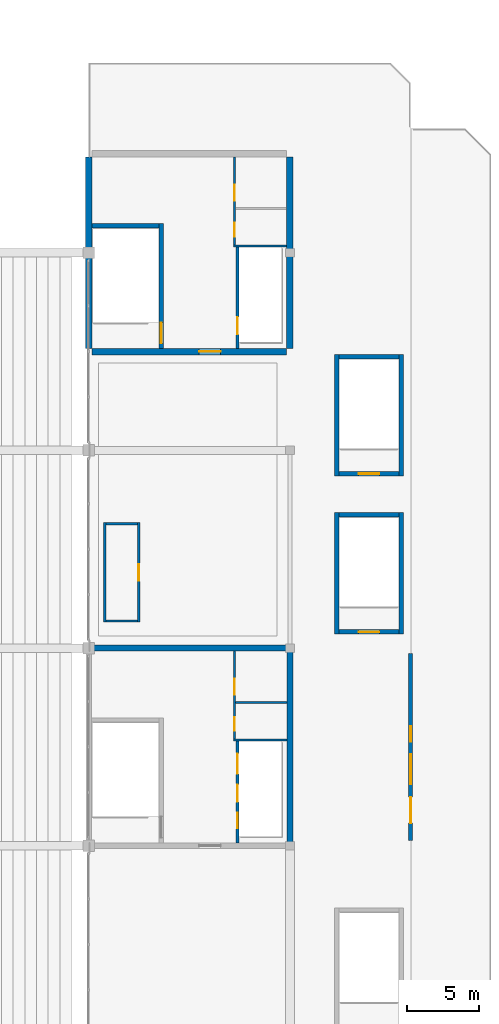
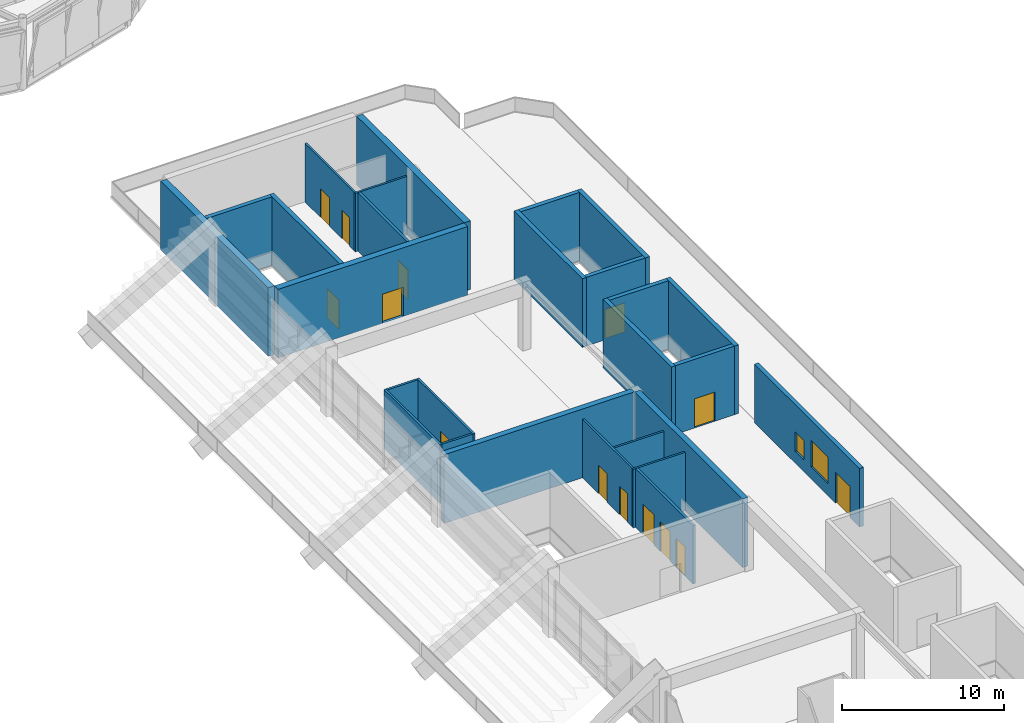
# One storey, part 74 of 90: 27 walls, 14 doors, 2 windows, 16 openings.
"""IFC4 building model written with IfcOpenShell, lengths in metres."""

from ifc_helpers import new_model, si_unit, direction, frame, frame_2d, origin, place, context, subcontext, project, spatial, rectangle, extrude, material, layer, layer_set, type_object, element, fill, save


model = new_model("IFC4")

# Units and contexts
model_context = context("Model", 3, precision=1e-05, world=origin(), true_north=direction((0.0, 1.0)))
body_context = subcontext(model_context, "Body", "Model", "MODEL_VIEW")
ifc_project = project(units=[si_unit("LENGTHUNIT", "METRE"), si_unit("AREAUNIT", "SQUARE_METRE"), si_unit("VOLUMEUNIT", "CUBIC_METRE"), si_unit("PLANEANGLEUNIT", "RADIAN"), si_unit("MASSUNIT", "GRAM", prefix="KILO")], contexts=[model_context])

# Site, building, storey
site_placement = place(None, origin())
site = spatial("IfcSite", under=ifc_project, at=site_placement, CompositionType="ELEMENT")
building_placement = place(site_placement, origin())
building = spatial("IfcBuilding", under=site, at=building_placement, Name="Linyun Crest Stadium", CompositionType="ELEMENT")
storey_placement = place(building_placement, frame((0.0, 0.0, 21.0)))
storey = spatial("IfcBuildingStorey", under=building, at=storey_placement, Name="L05", CompositionType="ELEMENT", Elevation=21.0)

# Walls
ifc_material_1 = material(Name="Concrete C50", Category="concrete")
ifc_layer_1 = layer(ifc_material_1, 0.39990234375)
ifc_layer_set_1 = layer_set([ifc_layer_1], Name="Concrete C50")
wall_type_1 = type_object("IfcWallType", Name="CW02", PredefinedType="SHEAR", material=ifc_layer_set_1)
wall_1_placement = place(storey_placement, frame((84.0, 2.324951171875, 0.0), z_axis=(0.0, 0.0, 1.0), x_axis=(0.0, 1.0, 0.0)))
element("IfcWall", 1, at=wall_1_placement, inside=storey, type_object=wall_type_1, Name="Core shear wall CW02 CORE-E2 L05.2", PredefinedType="SHEAR", context=body_context, shape_type="SweptSolid", body=[
    extrude(rectangle(XDim=13.35009765625, YDim=0.39990234375, at=frame_2d((6.675048828125, 0.0))), origin(), (0.0, 0.0, 1.0), 5.18505859375),
])
wall_2_placement = place(storey_placement, frame((70.199951171875, 15.875, 0.0), z_axis=(0.0, 0.0, 1.0), x_axis=(1.0, 0.0, 0.0)))
element("IfcWall", 2, at=wall_2_placement, inside=storey, type_object=wall_type_1, Name="Core shear wall CW02 CORE-E2 L05.4", PredefinedType="SHEAR", context=body_context, shape_type="SweptSolid", body=[
    extrude(rectangle(XDim=13.60009765625, YDim=0.39990234375, at=frame_2d((6.800048828125, 0.0))), origin(), (0.0, 0.0, 1.0), 5.18505859375),
])
ifc_material_2 = material(Name="Concrete C50", Category="concrete")
ifc_layer_2 = layer(ifc_material_2, 0.449951171875)
ifc_layer_set_2 = layer_set([ifc_layer_2], Name="Concrete C50")
wall_type_2 = type_object("IfcWallType", Name="CW03", PredefinedType="SHEAR", material=ifc_layer_set_2)
for number, where, z_axis, x_axis, name in (
    (3, (70.0, 36.72509765625, 0.0), (0.0, 0.0, 1.0), (0.0, 1.0, 0.0), "Core shear wall CW03 CORE-E3 L05.1"),
    (4, (84.0, 36.72509765625, 0.0), (0.0, 0.0, 1.0), (0.0, 1.0, 0.0), "Core shear wall CW03 CORE-E3 L05.2"),
):
    element("IfcWall", number, at=place(storey_placement, frame(where, z_axis=z_axis, x_axis=x_axis)), inside=storey, type_object=wall_type_2, Name=name, PredefinedType="SHEAR", context=body_context, shape_type="SweptSolid", body=[
        extrude(rectangle(XDim=13.2998046875, YDim=0.449951171875, at=frame_2d((6.64990234375, 0.0))), origin(), (0.0, 0.0, 1.0), 5.18505859375),
    ])

# Wall, opening, door
wall_3_placement = place(storey_placement, frame((70.22509765625, 36.5, 0.0), z_axis=(0.0, 0.0, 1.0), x_axis=(1.0, 0.0, 0.0)))
wall_3 = element("IfcWall", 5, at=wall_3_placement, inside=storey, type_object=wall_type_2, Name="Core shear wall CW03 CORE-E3 L05.3", PredefinedType="SHEAR", context=body_context, shape_type="SweptSolid", body=[
    extrude(rectangle(XDim=13.5498046875, YDim=0.449951171875, at=frame_2d((6.77490234375, 0.0))), origin(), (0.0, 0.0, 1.0), 5.18505859375),
])
opening_1_placement = place(wall_3_placement, frame((7.452880859375, 0.0, 0.0)))
opening_1 = element("IfcOpeningElement", 6, at=opening_1_placement, cuts=wall_3, Name="Opening D-L05-251", PredefinedType="OPENING", context=body_context, shape_type="SweptSolid", body=[
    extrude(rectangle(XDim=1.5, YDim=2.199951171875, at=frame_2d((0.75, 1.10009765625))), frame((0.0, 0.23486328125, 0.0), z_axis=(0.0, -1.0, 0.0), x_axis=(1.0, 0.0, 0.0)), (0.0, 0.0, 1.0), 0.469970703125),
])
ifc_material_3 = material(Name="Galvanized steel Class A fire door", Category="steel")
ifc_layer_3 = layer(ifc_material_3, 0.054931640625)
ifc_layer_set_3 = layer_set([ifc_layer_3], Name="Galvanized steel Class A fire door")
door_type_1 = type_object("IfcDoorType", Name="FD01", OperationType="NOTDEFINED", PredefinedType="DOOR", material=ifc_layer_set_3)
door_1_placement = place(opening_1_placement, origin())
door_1 = element("IfcDoor", 7, at=door_1_placement, inside=storey, type_object=door_type_1, Name="Door D-L05-251", OperationType="SINGLE_SWING_LEFT", OverallHeight=2.199951171875, OverallWidth=1.5, PredefinedType="DOOR", context=body_context, shape_type="SweptSolid", body=[
    extrude(rectangle(XDim=1.5, YDim=2.199951171875, at=frame_2d((0.75, 1.10009765625))), frame((0.0, 0.02490234375, 0.0), z_axis=(0.0, -1.0, 0.0), x_axis=(1.0, 0.0, 0.0)), (0.0, 0.0, 1.0), 0.050048828125),
])
fill(opening_1, door_1)

# Wall, openings, door, windows
ifc_material_4 = material(Name="Concrete C40 with celadon ceramic faience", Category="concrete")
ifc_layer_4 = layer(ifc_material_4, 0.280029296875)
ifc_layer_set_4 = layer_set([ifc_layer_4], Name="Concrete C40 with celadon ceramic faience")
wall_type_3 = type_object("IfcWallType", Name="EW03", PredefinedType="SOLIDWALL", material=ifc_layer_set_4)
wall_4_placement = place(storey_placement, frame((92.39990234375, 2.5, 0.0), z_axis=(0.0, 0.0, 1.0), x_axis=(0.0, 1.0, 0.0)))
wall_4 = element("IfcWall", 8, at=wall_4_placement, inside=storey, type_object=wall_type_3, Name="Exterior wall EW03 L05 70", PredefinedType="SOLIDWALL", context=body_context, shape_type="SweptSolid", body=[
    extrude(rectangle(XDim=13.0, YDim=0.280029296875, at=frame_2d((6.5, 0.0))), origin(), (0.0, 0.0, 1.0), 4.419921875),
])
opening_2_placement = place(wall_4_placement, frame((1.199951171875, 0.0, 0.0)))
opening_2 = element("IfcOpeningElement", 9, at=opening_2_placement, cuts=wall_4, Name="Opening BD-L05-09", PredefinedType="OPENING", context=body_context, shape_type="SweptSolid", body=[
    extrude(rectangle(XDim=1.800048828125, YDim=2.35009765625, at=frame_2d((0.89990234375, 1.175048828125))), frame((0.0, 0.14990234375, 0.0), z_axis=(0.0, -1.0, 0.0), x_axis=(1.0, 0.0, 0.0)), (0.0, 0.0, 1.0), 0.300048828125),
])
opening_3_placement = place(wall_4_placement, frame((3.89990234375, 0.0, 0.89990234375)))
opening_3 = element("IfcOpeningElement", 10, at=opening_3_placement, cuts=wall_4, Name="Opening WN03", PredefinedType="OPENING", context=body_context, shape_type="SweptSolid", body=[
    extrude(rectangle(XDim=2.10009765625, YDim=2.0, at=frame_2d((1.050048828125, 1.0))), frame((0.0, 0.14990234375, 0.0), z_axis=(0.0, -1.0, 0.0), x_axis=(1.0, 0.0, 0.0)), (0.0, 0.0, 1.0), 0.300048828125),
])
opening_4_placement = place(wall_4_placement, frame((6.85009765625, 0.0, 0.89990234375)))
opening_4 = element("IfcOpeningElement", 11, at=opening_4_placement, cuts=wall_4, Name="Opening WN15", PredefinedType="OPENING", context=body_context, shape_type="SweptSolid", body=[
    extrude(rectangle(XDim=1.10009765625, YDim=1.449951171875, at=frame_2d((0.550048828125, 0.72509765625))), frame((0.0, 0.14990234375, 0.0), z_axis=(0.0, -1.0, 0.0), x_axis=(1.0, 0.0, 0.0)), (0.0, 0.0, 1.0), 0.300048828125),
])
ifc_material_5 = material(Name="Thermally broken aluminium and low-E glass", Category="aluminium")
ifc_layer_5 = layer(ifc_material_5, 0.054931640625)
ifc_layer_set_5 = layer_set([ifc_layer_5], Name="Thermally broken aluminium and low-E glass")
door_type_2 = type_object("IfcDoorType", Name="BD01", OperationType="NOTDEFINED", PredefinedType="DOOR", material=ifc_layer_set_5)
door_2_placement = place(opening_2_placement, origin())
door_2 = element("IfcDoor", 12, at=door_2_placement, inside=storey, type_object=door_type_2, Name="Terrace door BD-L05-09", OperationType="SINGLE_SWING_LEFT", OverallHeight=2.35009765625, OverallWidth=1.800048828125, PredefinedType="DOOR", context=body_context, shape_type="SweptSolid", body=[
    extrude(rectangle(XDim=1.800048828125, YDim=2.35009765625, at=frame_2d((0.89990234375, 1.175048828125))), frame((0.0, 0.02490234375, 0.0), z_axis=(0.0, -1.0, 0.0), x_axis=(1.0, 0.0, 0.0)), (0.0, 0.0, 1.0), 0.050048828125),
])
fill(opening_2, door_2)
ifc_material_6 = material(Name="Aluminium frame with double low-E glazing", Category="aluminium")
ifc_layer_6 = layer(ifc_material_6, 0.06005859375)
ifc_layer_set_6 = layer_set([ifc_layer_6], Name="Aluminium frame with double low-E glazing")
window_type_1 = type_object("IfcWindowType", Name="WN03", PartitioningType="SINGLE_PANEL", PredefinedType="WINDOW", material=ifc_layer_set_6)
window_1_placement = place(opening_3_placement, origin())
window_1 = element("IfcWindow", 13, at=window_1_placement, inside=storey, type_object=window_type_1, Name="Window WN03 L05 45", OverallHeight=2.0, OverallWidth=2.10009765625, PartitioningType="SINGLE_PANEL", PredefinedType="WINDOW", context=body_context, shape_type="SweptSolid", body=[
    extrude(rectangle(XDim=2.10009765625, YDim=2.0, at=frame_2d((1.050048828125, 1.0))), frame((0.0, 0.030029296875, 0.0), z_axis=(0.0, -1.0, 0.0), x_axis=(1.0, 0.0, 0.0)), (0.0, 0.0, 1.0), 0.06005859375),
])
fill(opening_3, window_1)
ifc_material_7 = material(Name="Operable dressing-suite clerestory")
ifc_layer_7 = layer(ifc_material_7, 0.06005859375)
ifc_layer_set_7 = layer_set([ifc_layer_7], Name="Operable dressing-suite clerestory")
window_type_2 = type_object("IfcWindowType", Name="WN15", PartitioningType="SINGLE_PANEL", PredefinedType="WINDOW", material=ifc_layer_set_7)
window_2_placement = place(opening_4_placement, origin())
window_2 = element("IfcWindow", 14, at=window_2_placement, inside=storey, type_object=window_type_2, Name="Window WN15 L05 46", OverallHeight=1.449951171875, OverallWidth=1.10009765625, PartitioningType="SINGLE_PANEL", PredefinedType="WINDOW", context=body_context, shape_type="SweptSolid", body=[
    extrude(rectangle(XDim=1.10009765625, YDim=1.449951171875, at=frame_2d((0.550048828125, 0.72509765625))), frame((0.0, 0.030029296875, 0.0), z_axis=(0.0, -1.0, 0.0), x_axis=(1.0, 0.0, 0.0)), (0.0, 0.0, 1.0), 0.06005859375),
])
fill(opening_4, window_2)

# Wall, openings, doors
ifc_material_8 = material(Name="Autoclaved aerated concrete block fire partition", Category="concrete")
ifc_layer_8 = layer(ifc_material_8, 0.179931640625)
ifc_layer_set_8 = layer_set([ifc_layer_8], Name="Autoclaved aerated concrete block fire partition")
wall_type_4 = type_object("IfcWallType", Name="PW12", PredefinedType="PARTITIONING", material=ifc_layer_set_8)
wall_5_placement = place(storey_placement, frame((80.35009765625, 2.324951171875, 0.0), z_axis=(0.0, 0.0, 1.0), x_axis=(0.0, 1.0, 0.0)))
wall_5 = element("IfcWall", 15, at=wall_5_placement, inside=storey, type_object=wall_type_4, Name="Partition PW12 L05 79", PredefinedType="PARTITIONING", context=body_context, shape_type="SweptSolid", body=[
    extrude(rectangle(XDim=7.080078125, YDim=0.179931640625, at=frame_2d((3.5400390625, 0.0))), origin(), (0.0, 0.0, 1.0), 4.419921875),
])
opening_5_placement = place(wall_5_placement, frame((1.0, 0.0, 0.0)))
opening_5 = element("IfcOpeningElement", 16, at=opening_5_placement, cuts=wall_5, Name="Opening LD076", PredefinedType="OPENING", context=body_context, shape_type="SweptSolid", body=[
    extrude(rectangle(XDim=1.10009765625, YDim=2.199951171875, at=frame_2d((0.550048828125, 1.10009765625))), frame((0.0, 0.099853515625, 0.0), z_axis=(0.0, -1.0, 0.0), x_axis=(1.0, 0.0, 0.0)), (0.0, 0.0, 1.0), 0.199951171875),
])
opening_6_placement = place(wall_5_placement, frame((2.85009765625, 0.0, 0.0)))
opening_6 = element("IfcOpeningElement", 17, at=opening_6_placement, cuts=wall_5, Name="Opening LD077", PredefinedType="OPENING", context=body_context, shape_type="SweptSolid", body=[
    extrude(rectangle(XDim=1.199951171875, YDim=2.25, at=frame_2d((0.60009765625, 1.125))), frame((0.0, 0.099853515625, 0.0), z_axis=(0.0, -1.0, 0.0), x_axis=(1.0, 0.0, 0.0)), (0.0, 0.0, 1.0), 0.199951171875),
])
opening_7_placement = place(wall_5_placement, frame((4.800048828125, 0.0, 0.0)))
opening_7 = element("IfcOpeningElement", 18, at=opening_7_placement, cuts=wall_5, Name="Opening LD078", PredefinedType="OPENING", context=body_context, shape_type="SweptSolid", body=[
    extrude(rectangle(XDim=1.39990234375, YDim=2.300048828125, at=frame_2d((0.699951171875, 1.14990234375))), frame((0.0, 0.099853515625, 0.0), z_axis=(0.0, -1.0, 0.0), x_axis=(1.0, 0.0, 0.0)), (0.0, 0.0, 1.0), 0.199951171875),
])
ifc_material_9 = material(Name="Brushed stainless sliding lift door")
ifc_layer_9 = layer(ifc_material_9, 0.050048828125)
ifc_layer_set_9 = layer_set([ifc_layer_9], Name="Brushed stainless sliding lift door")
door_type_3 = type_object("IfcDoorType", Name="LD01", OperationType="NOTDEFINED", PredefinedType="DOOR", material=ifc_layer_set_9)
door_3_placement = place(opening_5_placement, origin())
door_3 = element("IfcDoor", 19, at=door_3_placement, inside=storey, type_object=door_type_3, Name="Lift landing door LD076", OperationType="DOUBLE_DOOR_SLIDING", OverallHeight=2.199951171875, OverallWidth=1.10009765625, PredefinedType="DOOR", context=body_context, shape_type="SweptSolid", body=[
    extrude(rectangle(XDim=1.10009765625, YDim=2.199951171875, at=frame_2d((0.550048828125, 1.10009765625))), frame((0.0, 0.02490234375, 0.0), z_axis=(0.0, -1.0, 0.0), x_axis=(1.0, 0.0, 0.0)), (0.0, 0.0, 1.0), 0.050048828125),
])
fill(opening_5, door_3)
ifc_material_10 = material(Name="Brushed stainless sliding lift door")
ifc_layer_10 = layer(ifc_material_10, 0.050048828125)
ifc_layer_set_10 = layer_set([ifc_layer_10], Name="Brushed stainless sliding lift door")
door_type_4 = type_object("IfcDoorType", Name="LD02", OperationType="NOTDEFINED", PredefinedType="DOOR", material=ifc_layer_set_10)
door_4_placement = place(opening_6_placement, origin())
door_4 = element("IfcDoor", 20, at=door_4_placement, inside=storey, type_object=door_type_4, Name="Lift landing door LD077", OperationType="DOUBLE_DOOR_SLIDING", OverallHeight=2.25, OverallWidth=1.199951171875, PredefinedType="DOOR", context=body_context, shape_type="SweptSolid", body=[
    extrude(rectangle(XDim=1.199951171875, YDim=2.25, at=frame_2d((0.60009765625, 1.125))), frame((0.0, 0.02490234375, 0.0), z_axis=(0.0, -1.0, 0.0), x_axis=(1.0, 0.0, 0.0)), (0.0, 0.0, 1.0), 0.050048828125),
])
fill(opening_6, door_4)
ifc_material_11 = material(Name="Heavy-duty stainless sliding door")
ifc_layer_11 = layer(ifc_material_11, 0.054931640625)
ifc_layer_set_11 = layer_set([ifc_layer_11], Name="Heavy-duty stainless sliding door")
door_type_5 = type_object("IfcDoorType", Name="LD03", OperationType="NOTDEFINED", PredefinedType="DOOR", material=ifc_layer_set_11)
door_5_placement = place(opening_7_placement, origin())
door_5 = element("IfcDoor", 21, at=door_5_placement, inside=storey, type_object=door_type_5, Name="Lift landing door LD078", OperationType="DOUBLE_DOOR_SLIDING", OverallHeight=2.300048828125, OverallWidth=1.39990234375, PredefinedType="DOOR", context=body_context, shape_type="SweptSolid", body=[
    extrude(rectangle(XDim=1.39990234375, YDim=2.300048828125, at=frame_2d((0.699951171875, 1.14990234375))), frame((0.0, 0.02490234375, 0.0), z_axis=(0.0, -1.0, 0.0), x_axis=(1.0, 0.0, 0.0)), (0.0, 0.0, 1.0), 0.050048828125),
])
fill(opening_7, door_5)

# Wall, opening, door
wall_6_placement = place(storey_placement, frame((80.35009765625, 36.72509765625, 0.0), z_axis=(0.0, 0.0, 1.0), x_axis=(0.0, 1.0, 0.0)))
wall_6 = element("IfcWall", 22, at=wall_6_placement, inside=storey, type_object=wall_type_4, Name="Partition PW12 L05 91", PredefinedType="PARTITIONING", context=body_context, shape_type="SweptSolid", body=[
    extrude(rectangle(XDim=7.054931640625, YDim=0.179931640625, at=frame_2d((3.52734375, 0.0))), origin(), (0.0, 0.0, 1.0), 4.419921875),
])
opening_8_placement = place(wall_6_placement, frame((0.97509765625, 0.0, 0.0)))
opening_8 = element("IfcOpeningElement", 23, at=opening_8_placement, cuts=wall_6, Name="Opening LD084", PredefinedType="OPENING", context=body_context, shape_type="SweptSolid", body=[
    extrude(rectangle(XDim=1.199951171875, YDim=2.25, at=frame_2d((0.60009765625, 1.125))), frame((0.0, 0.099853515625, 0.0), z_axis=(0.0, -1.0, 0.0), x_axis=(1.0, 0.0, 0.0)), (0.0, 0.0, 1.0), 0.199951171875),
])
door_6_placement = place(opening_8_placement, origin())
door_6 = element("IfcDoor", 24, at=door_6_placement, inside=storey, type_object=door_type_4, Name="Lift landing door LD084", OperationType="DOUBLE_DOOR_SLIDING", OverallHeight=2.25, OverallWidth=1.199951171875, PredefinedType="DOOR", context=body_context, shape_type="SweptSolid", body=[
    extrude(rectangle(XDim=1.199951171875, YDim=2.25, at=frame_2d((0.60009765625, 1.125))), frame((0.0, 0.02490234375, 0.0), z_axis=(0.0, -1.0, 0.0), x_axis=(1.0, 0.0, 0.0)), (0.0, 0.0, 1.0), 0.050048828125),
])
fill(opening_8, door_6)

# Wall, openings, doors
ifc_material_12 = material(Name="Moisture-resistant ceramic-tiled wet-room wall")
ifc_layer_12 = layer(ifc_material_12, 0.139892578125)
ifc_layer_set_12 = layer_set([ifc_layer_12], Name="Moisture-resistant ceramic-tiled wet-room wall")
wall_type_5 = type_object("IfcWallType", Name="PW15", PredefinedType="PARTITIONING", material=ifc_layer_set_12)
wall_7_placement = place(storey_placement, frame((80.14990234375, 9.544921875, 0.0), z_axis=(0.0, 0.0, 1.0), x_axis=(0.0, 1.0, 0.0)))
wall_7 = element("IfcWall", 25, at=wall_7_placement, inside=storey, type_object=wall_type_5, Name="Partition PW15 L05 80", PredefinedType="PARTITIONING", context=body_context, shape_type="SweptSolid", body=[
    extrude(rectangle(XDim=6.130126953125, YDim=0.139892578125, at=frame_2d((3.06494140625, 0.0))), origin(), (0.0, 0.0, 1.0), 4.419921875),
])
opening_9_placement = place(wall_7_placement, frame((0.580078125, 0.0, 0.0)))
opening_9 = element("IfcOpeningElement", 26, at=opening_9_placement, cuts=wall_7, Name="Opening D-L05-224", PredefinedType="OPENING", context=body_context, shape_type="SweptSolid", body=[
    extrude(rectangle(XDim=0.949951171875, YDim=2.14990234375, at=frame_2d((0.47509765625, 1.074951171875))), frame((0.0, 0.079833984375, 0.0), z_axis=(0.0, -1.0, 0.0), x_axis=(1.0, 0.0, 0.0)), (0.0, 0.0, 1.0), 0.159912109375),
])
opening_10_placement = place(wall_7_placement, frame((3.080078125, 0.0, 0.0)))
opening_10 = element("IfcOpeningElement", 27, at=opening_10_placement, cuts=wall_7, Name="Opening D-L05-225", PredefinedType="OPENING", context=body_context, shape_type="SweptSolid", body=[
    extrude(rectangle(XDim=1.10009765625, YDim=2.14990234375, at=frame_2d((0.550048828125, 1.074951171875))), frame((0.0, 0.079833984375, 0.0), z_axis=(0.0, -1.0, 0.0), x_axis=(1.0, 0.0, 0.0)), (0.0, 0.0, 1.0), 0.159912109375),
])
ifc_material_13 = material(Name="Moisture-resistant laminate leaf")
ifc_layer_13 = layer(ifc_material_13, 0.044921875)
ifc_layer_set_13 = layer_set([ifc_layer_13], Name="Moisture-resistant laminate leaf")
door_type_6 = type_object("IfcDoorType", Name="ID02", OperationType="NOTDEFINED", PredefinedType="DOOR", material=ifc_layer_set_13)
door_7_placement = place(opening_9_placement, origin())
door_7 = element("IfcDoor", 28, at=door_7_placement, inside=storey, type_object=door_type_6, Name="Door D-L05-224", OperationType="SINGLE_SWING_RIGHT", OverallHeight=2.14990234375, OverallWidth=0.949951171875, PredefinedType="DOOR", context=body_context, shape_type="SweptSolid", body=[
    extrude(rectangle(XDim=0.949951171875, YDim=2.14990234375, at=frame_2d((0.47509765625, 1.074951171875))), frame((0.0, 0.02490234375, 0.0), z_axis=(0.0, -1.0, 0.0), x_axis=(1.0, 0.0, 0.0)), (0.0, 0.0, 1.0), 0.050048828125),
])
fill(opening_9, door_7)
ifc_material_14 = material(Name="Moisture-resistant laminate leaf")
ifc_layer_14 = layer(ifc_material_14, 0.044921875)
ifc_layer_set_14 = layer_set([ifc_layer_14], Name="Moisture-resistant laminate leaf")
door_type_7 = type_object("IfcDoorType", Name="ID03", OperationType="NOTDEFINED", PredefinedType="DOOR", material=ifc_layer_set_14)
door_8_placement = place(opening_10_placement, origin())
door_8 = element("IfcDoor", 29, at=door_8_placement, inside=storey, type_object=door_type_7, Name="Door D-L05-225", OperationType="SINGLE_SWING_LEFT", OverallHeight=2.14990234375, OverallWidth=1.10009765625, PredefinedType="DOOR", context=body_context, shape_type="SweptSolid", body=[
    extrude(rectangle(XDim=1.10009765625, YDim=2.14990234375, at=frame_2d((0.550048828125, 1.074951171875))), frame((0.0, 0.02490234375, 0.0), z_axis=(0.0, -1.0, 0.0), x_axis=(1.0, 0.0, 0.0)), (0.0, 0.0, 1.0), 0.050048828125),
])
fill(opening_10, door_8)

wall_8_placement = place(storey_placement, frame((80.14990234375, 43.919921875, 0.0), z_axis=(0.0, 0.0, 1.0), x_axis=(0.0, 1.0, 0.0)))
wall_8 = element("IfcWall", 30, at=wall_8_placement, inside=storey, type_object=wall_type_5, Name="Partition PW15 L05 92", PredefinedType="PARTITIONING", context=body_context, shape_type="SweptSolid", body=[
    extrude(rectangle(XDim=6.10498046875, YDim=0.139892578125, at=frame_2d((3.052490234375, 0.0))), origin(), (0.0, 0.0, 1.0), 4.419921875),
])
opening_11_placement = place(wall_8_placement, frame((0.580078125, 0.0, 0.0)))
opening_11 = element("IfcOpeningElement", 31, at=opening_11_placement, cuts=wall_8, Name="Opening D-L05-254", PredefinedType="OPENING", context=body_context, shape_type="SweptSolid", body=[
    extrude(rectangle(XDim=0.949951171875, YDim=2.14990234375, at=frame_2d((0.47509765625, 1.074951171875))), frame((0.0, 0.079833984375, 0.0), z_axis=(0.0, -1.0, 0.0), x_axis=(1.0, 0.0, 0.0)), (0.0, 0.0, 1.0), 0.159912109375),
])
opening_12_placement = place(wall_8_placement, frame((3.080078125, 0.0, 0.0)))
opening_12 = element("IfcOpeningElement", 32, at=opening_12_placement, cuts=wall_8, Name="Opening D-L05-255", PredefinedType="OPENING", context=body_context, shape_type="SweptSolid", body=[
    extrude(rectangle(XDim=1.10009765625, YDim=2.14990234375, at=frame_2d((0.550048828125, 1.074951171875))), frame((0.0, 0.079833984375, 0.0), z_axis=(0.0, -1.0, 0.0), x_axis=(1.0, 0.0, 0.0)), (0.0, 0.0, 1.0), 0.159912109375),
])
door_9_placement = place(opening_11_placement, origin())
door_9 = element("IfcDoor", 33, at=door_9_placement, inside=storey, type_object=door_type_6, Name="Door D-L05-254", OperationType="SINGLE_SWING_RIGHT", OverallHeight=2.14990234375, OverallWidth=0.949951171875, PredefinedType="DOOR", context=body_context, shape_type="SweptSolid", body=[
    extrude(rectangle(XDim=0.949951171875, YDim=2.14990234375, at=frame_2d((0.47509765625, 1.074951171875))), frame((0.0, 0.02490234375, 0.0), z_axis=(0.0, -1.0, 0.0), x_axis=(1.0, 0.0, 0.0)), (0.0, 0.0, 1.0), 0.050048828125),
])
fill(opening_11, door_9)
door_10_placement = place(opening_12_placement, origin())
door_10 = element("IfcDoor", 34, at=door_10_placement, inside=storey, type_object=door_type_7, Name="Door D-L05-255", OperationType="SINGLE_SWING_LEFT", OverallHeight=2.14990234375, OverallWidth=1.10009765625, PredefinedType="DOOR", context=body_context, shape_type="SweptSolid", body=[
    extrude(rectangle(XDim=1.10009765625, YDim=2.14990234375, at=frame_2d((0.550048828125, 1.074951171875))), frame((0.0, 0.02490234375, 0.0), z_axis=(0.0, -1.0, 0.0), x_axis=(1.0, 0.0, 0.0)), (0.0, 0.0, 1.0), 0.050048828125),
])
fill(opening_12, door_10)

# Walls
wall_9_placement = place(storey_placement, frame((80.080078125, 9.47509765625, 0.0), z_axis=(0.0, 0.0, 1.0), x_axis=(1.0, 0.0, 0.0)))
element("IfcWall", 35, at=wall_9_placement, inside=storey, type_object=wall_type_5, Name="Enclosure partition PW15 L05 65", PredefinedType="PARTITIONING", context=body_context, shape_type="SweptSolid", body=[
    extrude(rectangle(XDim=3.719970703125, YDim=0.139892578125, at=frame_2d((1.85986328125, 0.0))), origin(), (0.0, 0.0, 1.0), 4.419921875),
])
wall_10_placement = place(storey_placement, frame((80.219970703125, 12.074951171875, 0.0), z_axis=(0.0, 0.0, 1.0), x_axis=(1.0, 0.0, 0.0)))
element("IfcWall", 36, at=wall_10_placement, inside=storey, type_object=wall_type_5, Name="Enclosure partition PW15 L05 66", PredefinedType="PARTITIONING", context=body_context, shape_type="SweptSolid", body=[
    extrude(rectangle(XDim=3.580078125, YDim=0.139892578125, at=frame_2d((1.7900390625, 0.0))), origin(), (0.0, 0.0, 1.0), 4.419921875),
])
wall_11_placement = place(storey_placement, frame((80.080078125, 43.85009765625, 0.0), z_axis=(0.0, 0.0, 1.0), x_axis=(1.0, 0.0, 0.0)))
element("IfcWall", 37, at=wall_11_placement, inside=storey, type_object=wall_type_5, Name="Enclosure partition PW15 L05 77", PredefinedType="PARTITIONING", context=body_context, shape_type="SweptSolid", body=[
    extrude(rectangle(XDim=3.69482421875, YDim=0.139892578125, at=frame_2d((1.847412109375, 0.0))), origin(), (0.0, 0.0, 1.0), 4.419921875),
])

# Wall, opening, door
ifc_material_15 = material(Name="Medical and doping-control hygienic partition")
ifc_layer_15 = layer(ifc_material_15, 0.155029296875)
ifc_layer_set_15 = layer_set([ifc_layer_15], Name="Medical and doping-control hygienic partition")
wall_type_6 = type_object("IfcWallType", Name="PW23", PredefinedType="PARTITIONING", material=ifc_layer_set_15)
wall_12_placement = place(storey_placement, frame((73.48388671875, 24.594970703125, 0.0), z_axis=(0.0, 0.0, 1.0), x_axis=(0.0, -1.0, 0.0)))
wall_12 = element("IfcWall", 38, at=wall_12_placement, inside=storey, type_object=wall_type_6, Name="Partition PW23 L05 232", PredefinedType="PARTITIONING", context=body_context, shape_type="SweptSolid", body=[
    extrude(rectangle(XDim=6.919921875, YDim=0.155029296875, at=frame_2d((3.4599609375, 0.0))), origin(), (0.0, 0.0, 1.0), 4.419921875),
])
opening_13_placement = place(wall_12_placement, frame((2.885009765625, 0.0, 0.0)))
opening_13 = element("IfcOpeningElement", 39, at=opening_13_placement, cuts=wall_12, Name="Opening D-L05-495", PredefinedType="OPENING", context=body_context, shape_type="SweptSolid", body=[
    extrude(rectangle(XDim=1.14990234375, YDim=2.199951171875, at=frame_2d((0.574951171875, 1.10009765625))), frame((0.0, 0.08740234375, 0.0), z_axis=(0.0, -1.0, 0.0), x_axis=(1.0, 0.0, 0.0)), (0.0, 0.0, 1.0), 0.175048828125),
])
ifc_material_16 = material(Name="Solid timber acoustic door", Category="wood")
ifc_layer_16 = layer(ifc_material_16, 0.050048828125)
ifc_layer_set_16 = layer_set([ifc_layer_16], Name="Solid timber acoustic door")
door_type_8 = type_object("IfcDoorType", Name="ID15", OperationType="NOTDEFINED", PredefinedType="DOOR", material=ifc_layer_set_16)
door_11_placement = place(opening_13_placement, origin())
door_11 = element("IfcDoor", 40, at=door_11_placement, inside=storey, type_object=door_type_8, Name="Door D-L05-495", OperationType="SINGLE_SWING_LEFT", OverallHeight=2.199951171875, OverallWidth=1.14990234375, PredefinedType="DOOR", context=body_context, shape_type="SweptSolid", body=[
    extrude(rectangle(XDim=1.14990234375, YDim=2.199951171875, at=frame_2d((0.574951171875, 1.10009765625))), frame((0.0, 0.02490234375, 0.0), z_axis=(0.0, -1.0, 0.0), x_axis=(1.0, 0.0, 0.0)), (0.0, 0.0, 1.0), 0.050048828125),
])
fill(opening_13, door_11)

# Walls
wall_13_placement = place(storey_placement, frame((71.1240234375, 17.675048828125, 0.0), z_axis=(0.0, 0.0, 1.0), x_axis=(0.0, 1.0, 0.0)))
element("IfcWall", 41, at=wall_13_placement, inside=storey, type_object=wall_type_6, Name="Enclosure partition PW23 L05 412", PredefinedType="PARTITIONING", context=body_context, shape_type="SweptSolid", body=[
    extrude(rectangle(XDim=6.919921875, YDim=0.155029296875, at=frame_2d((3.4599609375, 0.0))), origin(), (0.0, 0.0, 1.0), 4.419921875),
])
for number, where, z_axis, x_axis, name in (
    (42, (71.201904296875, 17.7529296875, 0.0), (0.0, 0.0, 1.0), (1.0, 0.0, 0.0), "Enclosure partition PW23 L05 413"),
    (43, (71.201904296875, 24.51708984375, 0.0), (0.0, 0.0, 1.0), (1.0, 0.0, 0.0), "Enclosure partition PW23 L05 414"),
):
    element("IfcWall", number, at=place(storey_placement, frame(where, z_axis=z_axis, x_axis=x_axis)), inside=storey, type_object=wall_type_6, Name=name, PredefinedType="PARTITIONING", context=body_context, shape_type="SweptSolid", body=[
        extrude(rectangle(XDim=2.2041015625, YDim=0.155029296875, at=frame_2d((1.10205078125, 0.0))), origin(), (0.0, 0.0, 1.0), 4.419921875),
    ])

# Wall, opening, door
ifc_material_17 = material(Name="Concrete C50", Category="concrete")
ifc_layer_17 = layer(ifc_material_17, 0.300048828125)
ifc_layer_set_17 = layer_set([ifc_layer_17], Name="Concrete C50")
wall_type_7 = type_object("IfcWallType", Name="SW01", PredefinedType="SHEAR", material=ifc_layer_set_17)
wall_14_placement = place(storey_placement, frame((75.050048828125, 36.72509765625, 0.0), z_axis=(0.0, 0.0, 1.0), x_axis=(0.0, 1.0, 0.0)))
wall_14 = element("IfcWall", 44, at=wall_14_placement, inside=storey, type_object=wall_type_7, Name="Core stair east bearing wall SW01 6 L05", PredefinedType="SHEAR", context=body_context, shape_type="SweptSolid", body=[
    extrude(rectangle(XDim=8.6748046875, YDim=0.300048828125, at=frame_2d((4.33740234375, 0.0))), origin(), (0.0, 0.0, 1.0), 5.18505859375),
])
opening_14_placement = place(wall_14_placement, frame((0.344970703125, 0.0, 0.0)))
opening_14 = element("IfcOpeningElement", 45, at=opening_14_placement, cuts=wall_14, Name="Opening D-L05-252", PredefinedType="OPENING", context=body_context, shape_type="SweptSolid", body=[
    extrude(rectangle(XDim=1.449951171875, YDim=2.199951171875, at=frame_2d((0.72509765625, 1.10009765625))), frame((0.0, 0.159912109375, 0.0), z_axis=(0.0, -1.0, 0.0), x_axis=(1.0, 0.0, 0.0)), (0.0, 0.0, 1.0), 0.320068359375),
])
ifc_material_18 = material(Name="Galvanized steel Class A fire door", Category="steel")
ifc_layer_18 = layer(ifc_material_18, 0.054931640625)
ifc_layer_set_18 = layer_set([ifc_layer_18], Name="Galvanized steel Class A fire door")
door_type_9 = type_object("IfcDoorType", Name="FD02", OperationType="NOTDEFINED", PredefinedType="DOOR", material=ifc_layer_set_18)
door_12_placement = place(opening_14_placement, origin())
door_12 = element("IfcDoor", 46, at=door_12_placement, inside=storey, type_object=door_type_9, Name="Door D-L05-252", OperationType="SINGLE_SWING_RIGHT", OverallHeight=2.199951171875, OverallWidth=1.449951171875, PredefinedType="DOOR", context=body_context, shape_type="SweptSolid", body=[
    extrude(rectangle(XDim=1.449951171875, YDim=2.199951171875, at=frame_2d((0.72509765625, 1.10009765625))), frame((0.0, 0.02490234375, 0.0), z_axis=(0.0, -1.0, 0.0), x_axis=(1.0, 0.0, 0.0)), (0.0, 0.0, 1.0), 0.050048828125),
])
fill(opening_14, door_12)

# Wall
wall_15_placement = place(storey_placement, frame((70.22509765625, 45.25, 0.0), z_axis=(0.0, 0.0, 1.0), x_axis=(1.0, 0.0, 0.0)))
element("IfcWall", 47, at=wall_15_placement, inside=storey, type_object=wall_type_7, Name="Core stair bearing wall SW01 6 L05", PredefinedType="SHEAR", context=body_context, shape_type="SweptSolid", body=[
    extrude(rectangle(XDim=4.6748046875, YDim=0.300048828125, at=frame_2d((2.33740234375, 0.0))), origin(), (0.0, 0.0, 1.0), 5.18505859375),
])

# Wall, opening, door
wall_16_placement = place(storey_placement, frame((87.39990234375, 17.0, 0.0), z_axis=(0.0, 0.0, 1.0), x_axis=(1.0, 0.0, 0.0)))
wall_16 = element("IfcWall", 48, at=wall_16_placement, inside=storey, type_object=wall_type_7, Name="Stair shaft wall SW01 STR-21 L05 S", PredefinedType="SHEAR", context=body_context, shape_type="SweptSolid", body=[
    extrude(rectangle(XDim=4.2001953125, YDim=0.300048828125, at=frame_2d((2.10009765625, 0.0))), origin(), (0.0, 0.0, 1.0), 5.18505859375),
])
opening_15_placement = place(wall_16_placement, frame((1.375, 0.0, 0.0)))
opening_15 = element("IfcOpeningElement", 49, at=opening_15_placement, cuts=wall_16, Name="Opening D-L05-588", PredefinedType="OPENING", context=body_context, shape_type="SweptSolid", body=[
    extrude(rectangle(XDim=1.449951171875, YDim=2.199951171875, at=frame_2d((0.72509765625, 1.10009765625))), frame((0.0, 0.159912109375, 0.0), z_axis=(0.0, -1.0, 0.0), x_axis=(1.0, 0.0, 0.0)), (0.0, 0.0, 1.0), 0.320068359375),
])
door_13_placement = place(opening_15_placement, origin())
door_13 = element("IfcDoor", 50, at=door_13_placement, inside=storey, type_object=door_type_9, Name="Door D-L05-588", OperationType="SINGLE_SWING_RIGHT", OverallHeight=2.199951171875, OverallWidth=1.449951171875, PredefinedType="DOOR", context=body_context, shape_type="SweptSolid", body=[
    extrude(rectangle(XDim=1.449951171875, YDim=2.199951171875, at=frame_2d((0.72509765625, 1.10009765625))), frame((0.0, 0.02490234375, 0.0), z_axis=(0.0, -1.0, 0.0), x_axis=(1.0, 0.0, 0.0)), (0.0, 0.0, 1.0), 0.050048828125),
])
fill(opening_15, door_13)

# Walls
wall_17_placement = place(storey_placement, frame((87.39990234375, 25.14990234375, 0.0), z_axis=(0.0, 0.0, 1.0), x_axis=(1.0, 0.0, 0.0)))
element("IfcWall", 51, at=wall_17_placement, inside=storey, type_object=wall_type_7, Name="Stair shaft wall SW01 STR-21 L05 N", PredefinedType="SHEAR", context=body_context, shape_type="SweptSolid", body=[
    extrude(rectangle(XDim=4.2001953125, YDim=0.300048828125, at=frame_2d((2.10009765625, 0.0))), origin(), (0.0, 0.0, 1.0), 5.18505859375),
])
for number, where, z_axis, x_axis, name in (
    (52, (87.25, 16.85009765625, 0.0), (0.0, 0.0, 1.0), (0.0, 1.0, 0.0), "Stair shaft wall SW01 STR-21 L05 W"),
    (53, (91.75, 16.85009765625, 0.0), (0.0, 0.0, 1.0), (0.0, 1.0, 0.0), "Stair shaft wall SW01 STR-21 L05 E"),
):
    element("IfcWall", number, at=place(storey_placement, frame(where, z_axis=z_axis, x_axis=x_axis)), inside=storey, type_object=wall_type_7, Name=name, PredefinedType="SHEAR", context=body_context, shape_type="SweptSolid", body=[
        extrude(rectangle(XDim=8.449951171875, YDim=0.300048828125, at=frame_2d((4.22509765625, 0.0))), origin(), (0.0, 0.0, 1.0), 5.18505859375),
    ])

# Wall, opening, door
wall_18_placement = place(storey_placement, frame((87.39990234375, 28.0, 0.0), z_axis=(0.0, 0.0, 1.0), x_axis=(1.0, 0.0, 0.0)))
wall_18 = element("IfcWall", 54, at=wall_18_placement, inside=storey, type_object=wall_type_7, Name="Stair shaft wall SW01 STR-22 L05 S", PredefinedType="SHEAR", context=body_context, shape_type="SweptSolid", body=[
    extrude(rectangle(XDim=4.2001953125, YDim=0.300048828125, at=frame_2d((2.10009765625, 0.0))), origin(), (0.0, 0.0, 1.0), 5.18505859375),
])
opening_16_placement = place(wall_18_placement, frame((1.375, 0.0, 0.0)))
opening_16 = element("IfcOpeningElement", 55, at=opening_16_placement, cuts=wall_18, Name="Opening D-L05-593", PredefinedType="OPENING", context=body_context, shape_type="SweptSolid", body=[
    extrude(rectangle(XDim=1.449951171875, YDim=2.199951171875, at=frame_2d((0.72509765625, 1.10009765625))), frame((0.0, 0.159912109375, 0.0), z_axis=(0.0, -1.0, 0.0), x_axis=(1.0, 0.0, 0.0)), (0.0, 0.0, 1.0), 0.320068359375),
])
door_14_placement = place(opening_16_placement, origin())
door_14 = element("IfcDoor", 56, at=door_14_placement, inside=storey, type_object=door_type_9, Name="Door D-L05-593", OperationType="SINGLE_SWING_LEFT", OverallHeight=2.199951171875, OverallWidth=1.449951171875, PredefinedType="DOOR", context=body_context, shape_type="SweptSolid", body=[
    extrude(rectangle(XDim=1.449951171875, YDim=2.199951171875, at=frame_2d((0.72509765625, 1.10009765625))), frame((0.0, 0.02490234375, 0.0), z_axis=(0.0, -1.0, 0.0), x_axis=(1.0, 0.0, 0.0)), (0.0, 0.0, 1.0), 0.050048828125),
])
fill(opening_16, door_14)

# Walls
wall_19_placement = place(storey_placement, frame((87.39990234375, 36.14990234375, 0.0), z_axis=(0.0, 0.0, 1.0), x_axis=(1.0, 0.0, 0.0)))
element("IfcWall", 57, at=wall_19_placement, inside=storey, type_object=wall_type_7, Name="Stair shaft wall SW01 STR-22 L05 N", PredefinedType="SHEAR", context=body_context, shape_type="SweptSolid", body=[
    extrude(rectangle(XDim=4.2001953125, YDim=0.300048828125, at=frame_2d((2.10009765625, 0.0))), origin(), (0.0, 0.0, 1.0), 5.18505859375),
])
for number, where, z_axis, x_axis, name in (
    (58, (87.25, 27.85009765625, 0.0), (0.0, 0.0, 1.0), (0.0, 1.0, 0.0), "Stair shaft wall SW01 STR-22 L05 W"),
    (59, (91.75, 27.85009765625, 0.0), (0.0, 0.0, 1.0), (0.0, 1.0, 0.0), "Stair shaft wall SW01 STR-22 L05 E"),
):
    element("IfcWall", number, at=place(storey_placement, frame(where, z_axis=z_axis, x_axis=x_axis)), inside=storey, type_object=wall_type_7, Name=name, PredefinedType="SHEAR", context=body_context, shape_type="SweptSolid", body=[
        extrude(rectangle(XDim=8.449951171875, YDim=0.300048828125, at=frame_2d((4.22509765625, 0.0))), origin(), (0.0, 0.0, 1.0), 5.18505859375),
    ])

save(model, "model.ifc")
